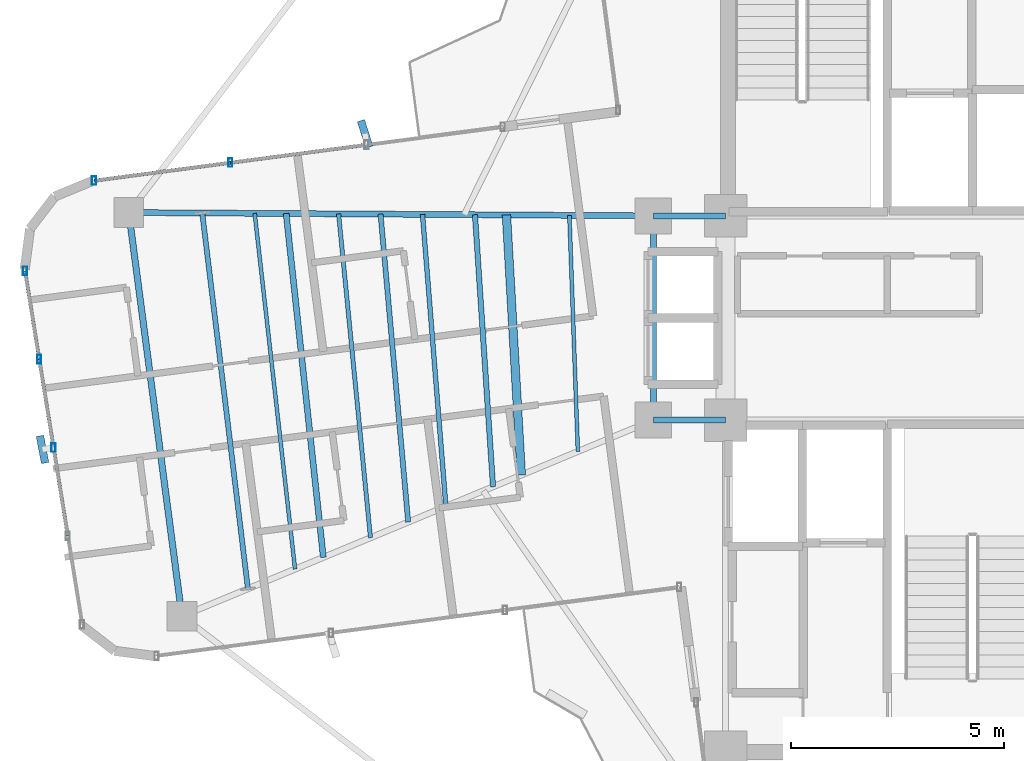
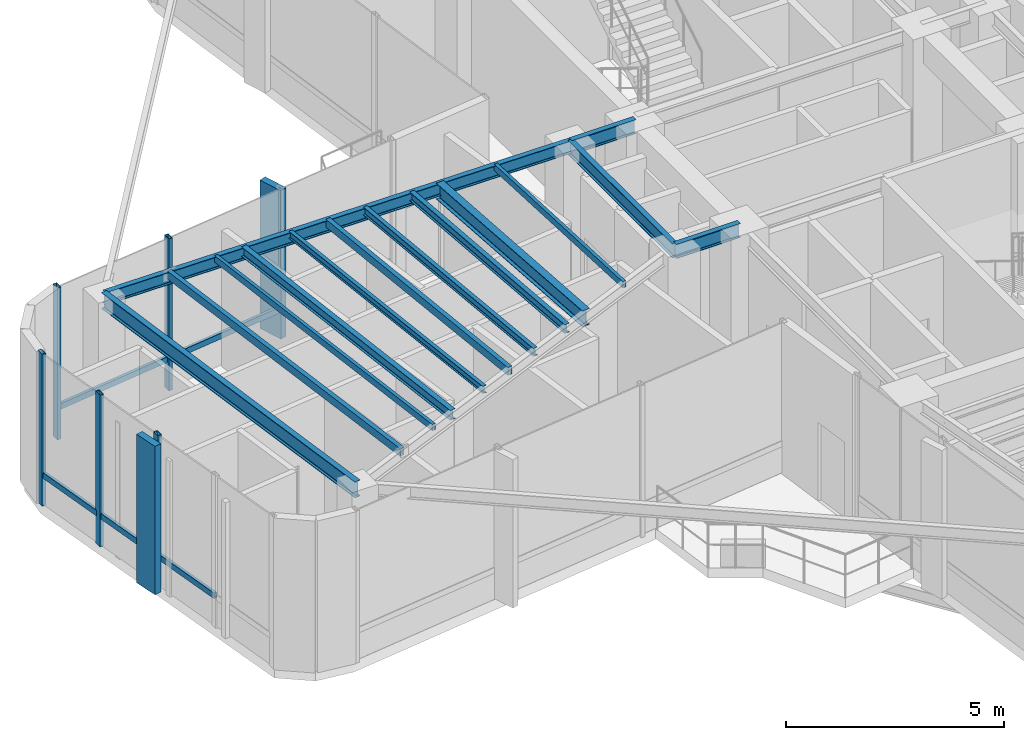
# One storey, part 4 of 20: 14 beams, 12 members, 2 elements without a shape of their own.
"""IFC4 building model written with IfcOpenShell, lengths in metres."""

from ifc_helpers import new_model, si_unit, direction, frame, origin, origin_2d, place, context, subcontext, project, spatial, rectangle, hollow_rectangle, i_section, extrude, source, transform, mapped, material, material_profile, profile_set, type_object, element, aggregate, save


model = new_model("IFC4")

# Units and contexts
model_context = context("Model", 3, precision=1e-05, world=origin(), true_north=direction((0.0, 1.0)))
body_context = subcontext(model_context, "Body", "Model", "MODEL_VIEW")
ifc_project = project(units=[si_unit("LENGTHUNIT", "METRE"), si_unit("AREAUNIT", "SQUARE_METRE"), si_unit("VOLUMEUNIT", "CUBIC_METRE"), si_unit("PLANEANGLEUNIT", "RADIAN"), si_unit("MASSUNIT", "GRAM", prefix="KILO")], contexts=[model_context])

# Site, building, storey
site_placement = place(None, origin())
site = spatial("IfcSite", under=ifc_project, at=site_placement, CompositionType="ELEMENT")
building_placement = place(site_placement, origin())
building = spatial("IfcBuilding", under=site, at=building_placement, Name="Sahyath Konkavel Grand Hotel", CompositionType="ELEMENT")
storey_placement = place(building_placement, frame((0.0, 0.0, 229.949951171875)))
storey = spatial("IfcBuildingStorey", under=building, at=storey_placement, Name="L64", CompositionType="ELEMENT", Elevation=229.949951171875)

# Beams
ifc_material_1 = material(Name="Steel E350", Category="steel")
ifc_material_profile_1 = material_profile(ifc_material_1, i_section(OverallWidth=0.139892578125, OverallDepth=0.39990234375, WebThickness=0.0087890625, FlangeThickness=0.01611328125, FilletRadius=0.013916015625, at=origin_2d()), Name="ISMB 400")
ifc_profile_set_1 = profile_set([ifc_material_profile_1], Name="Steel E350")
beam_type_1 = type_object("IfcBeamType", Name="BM-ISMB400", PredefinedType="BEAM", material=ifc_profile_set_1)
shared_shape_1 = source(origin(), body_context, "Body", "SweptSolid", [
    extrude(i_section(OverallWidth=0.139892578125, OverallDepth=0.39990234375, WebThickness=0.0087890625, FlangeThickness=0.01611328125, FilletRadius=0.013916015625, at=origin_2d()), origin(), (0.0, 0.0, 1.0), 1.699951171875),
])
for number, where, z_axis, x_axis, name in (
    (1, (-5.5, 2.39990234375, 4.06005859375), (1.0, 0.0, 0.0), (0.0, 1.0, 0.0), "str:bm:L64:HB-NW"),
    (2, (-5.5, -2.39990234375, 4.06005859375), (1.0, 0.0, 0.0), (0.0, 1.0, 0.0), "str:bm:L64:HB-SW"),
):
    element("IfcBeam", number, at=place(storey_placement, frame(where, z_axis=z_axis, x_axis=x_axis)), inside=storey, type_object=beam_type_1, Name=name, PredefinedType="BEAM", context=body_context, shape_type="MappedRepresentation", body=[
        mapped(shared_shape_1, transform((0.0, 0.0, 0.0), scale=1.0)),
    ])
shared_shape_2 = source(origin(), body_context, "Body", "SweptSolid", [
    extrude(i_section(OverallWidth=0.139892578125, OverallDepth=0.39990234375, WebThickness=0.0087890625, FlangeThickness=0.01611328125, FilletRadius=0.013916015625, at=origin_2d()), origin(), (0.0, 0.0, 1.0), 4.7998046875),
])
beam_1_placement = place(storey_placement, frame((-5.5, -2.39990234375, 4.06005859375), z_axis=(0.0, 1.0, 0.0), x_axis=(-1.0, 0.0, 0.0)))
element("IfcBeam", 3, at=beam_1_placement, inside=storey, type_object=beam_type_1, Name="str:bm:L64:HB-W", PredefinedType="BEAM", context=body_context, shape_type="MappedRepresentation", body=[
    mapped(shared_shape_2, transform((0.0, 0.0, 0.0), scale=1.0)),
])
ifc_material_profile_2 = material_profile(ifc_material_1, i_section(OverallWidth=0.139892578125, OverallDepth=0.35009765625, WebThickness=0.008056640625, FlangeThickness=0.01416015625, FilletRadius=0.013916015625, at=origin_2d()), Name="ISMB 350")
ifc_profile_set_2 = profile_set([ifc_material_profile_2], Name="Steel E350")
beam_type_2 = type_object("IfcBeamType", Name="BM-ISMB350", PredefinedType="BEAM", material=ifc_profile_set_2)
shared_shape_3 = source(origin(), body_context, "Body", "SweptSolid", [
    extrude(i_section(OverallWidth=0.139892578125, OverallDepth=0.35009765625, WebThickness=0.008056640625, FlangeThickness=0.01416015625, FilletRadius=0.013916015625, at=origin_2d()), origin(), (0.0, 0.0, 1.0), 12.3232421875),
])
beam_2_placement = place(storey_placement, frame((-5.5, 2.39990234375, 4.0849609375), z_axis=(-0.999980029649, 0.006319834165, 0.0), x_axis=(-0.006319834165, -0.999980029649, 0.0)))
element("IfcBeam", 4, at=beam_2_placement, inside=storey, type_object=beam_type_2, Name="L64 Cruciform Radial Girder WA", PredefinedType="BEAM", context=body_context, shape_type="MappedRepresentation", body=[
    mapped(shared_shape_3, transform((0.0, 0.0, 0.0), scale=1.0)),
])
ifc_material_profile_3 = material_profile(ifc_material_1, i_section(OverallWidth=0.14990234375, OverallDepth=0.449951171875, WebThickness=0.009521484375, FlangeThickness=0.017333984375, FilletRadius=0.014892578125, at=origin_2d()), Name="ISMB 450")
ifc_profile_set_3 = profile_set([ifc_material_profile_3], Name="Steel E350")
beam_type_3 = type_object("IfcBeamType", Name="BM-ISMB450", PredefinedType="BEAM", material=ifc_profile_set_3)
shared_shape_4 = source(origin(), body_context, "Body", "SweptSolid", [
    extrude(i_section(OverallWidth=0.14990234375, OverallDepth=0.449951171875, WebThickness=0.009521484375, FlangeThickness=0.017333984375, FilletRadius=0.014892578125, at=origin_2d()), origin(), (0.0, 0.0, 1.0), 9.56591796875),
])
beam_3_placement = place(storey_placement, frame((-17.822998046875, 2.477783203125, 4.03515625), z_axis=(0.130543638296, -0.991442564398, 0.0), x_axis=(0.991442564398, 0.130543638296, 0.0)))
element("IfcBeam", 5, at=beam_3_placement, inside=storey, type_object=beam_type_3, Name="L64 Wing Tip Edge Beam W", PredefinedType="BEAM", context=body_context, shape_type="MappedRepresentation", body=[
    mapped(shared_shape_4, transform((0.0, 0.0, 0.0), scale=1.0)),
])
ifc_material_profile_4 = material_profile(ifc_material_1, i_section(OverallWidth=0.199951171875, OverallDepth=0.449951171875, WebThickness=0.00927734375, FlangeThickness=0.015380859375, FilletRadius=0.01611328125, at=origin_2d()), Name="ISWB 450")
ifc_profile_set_4 = profile_set([ifc_material_profile_4], Name="Steel E350")
beam_type_4 = type_object("IfcBeamType", Name="BM-ISWB450", PredefinedType="BEAM", material=ifc_profile_set_4)
shared_shape_5 = source(origin(), body_context, "Body", "SweptSolid", [
    extrude(i_section(OverallWidth=0.199951171875, OverallDepth=0.449951171875, WebThickness=0.00927734375, FlangeThickness=0.015380859375, FilletRadius=0.01611328125, at=origin_2d()), origin(), (0.0, 0.0, 1.0), 6.12158203125),
])
beam_4_placement = place(storey_placement, frame((-8.950439453125, 2.421875, 4.03515625), z_axis=(0.057111122498, -0.998367827851, 0.0), x_axis=(0.998367827851, 0.057111122498, 0.0)))
element("IfcBeam", 6, at=beam_4_placement, inside=storey, type_object=beam_type_4, Name="L64 Secondary Floor Beam W-1", PredefinedType="BEAM", context=body_context, shape_type="MappedRepresentation", body=[
    mapped(shared_shape_5, transform((0.0, 0.0, 0.0), scale=1.0)),
])
ifc_material_profile_5 = material_profile(ifc_material_1, hollow_rectangle(XDim=0.1201171875, YDim=0.219970703125, WallThickness=0.010009765625, at=origin_2d()), Name="RHS 220x120x10")
ifc_profile_set_5 = profile_set([ifc_material_profile_5], Name="Steel E350")
beam_type_5 = type_object("IfcBeamType", Name="BM-RHS220", PredefinedType="BEAM", material=ifc_profile_set_5)
shared_shape_6 = source(origin(), body_context, "Body", "SweptSolid", [
    extrude(hollow_rectangle(XDim=0.1201171875, YDim=0.219970703125, WallThickness=0.010009765625, at=origin_2d()), origin(), (0.0, 0.0, 1.0), 7.264892578125),
])
beam_5_placement = place(storey_placement, frame((-11.907958984375, 2.4404296875, 4.150146484375), z_axis=(0.08939034823, -0.995996669494, 0.0), x_axis=(0.995996669494, 0.08939034823, 0.0)))
element("IfcBeam", 7, at=beam_5_placement, inside=storey, type_object=beam_type_5, Name="L64 Secondary Floor Beam W-2", PredefinedType="BEAM", context=body_context, shape_type="MappedRepresentation", body=[
    mapped(shared_shape_6, transform((0.0, 0.0, 0.0), scale=1.0)),
])
ifc_material_profile_6 = material_profile(ifc_material_1, hollow_rectangle(XDim=0.090087890625, YDim=0.179931640625, WallThickness=0.008056640625, at=origin_2d()), Name="RHS 180x90x8")
ifc_profile_set_6 = profile_set([ifc_material_profile_6], Name="Steel E350")
beam_type_6 = type_object("IfcBeamType", Name="BM-RHS180", PredefinedType="BEAM", material=ifc_profile_set_6)
shared_shape_7 = source(origin(), body_context, "Body", "SweptSolid", [
    extrude(hollow_rectangle(XDim=0.090087890625, YDim=0.179931640625, WallThickness=0.008056640625, at=origin_2d()), origin(), (0.0, 0.0, 1.0), 8.41357421875),
])
beam_6_placement = place(storey_placement, frame((-14.865478515625, 2.458984375, 4.170166015625), z_axis=(0.112791190308, -0.993618713284, 0.0), x_axis=(0.993618713284, 0.112791190308, 0.0)))
element("IfcBeam", 8, at=beam_6_placement, inside=storey, type_object=beam_type_6, Name="L64 Secondary Floor Beam W-3", PredefinedType="BEAM", context=body_context, shape_type="MappedRepresentation", body=[
    mapped(shared_shape_7, transform((0.0, 0.0, 0.0), scale=1.0)),
])
ifc_material_profile_7 = material_profile(ifc_material_1, i_section(OverallWidth=0.139892578125, OverallDepth=0.27490234375, WebThickness=0.00634765625, FlangeThickness=0.0087890625, FilletRadius=0.012939453125, at=origin_2d()), Name="ISLB 275")
ifc_profile_set_7 = profile_set([ifc_material_profile_7], Name="Steel E350")
beam_type_7 = type_object("IfcBeamType", Name="BM-ISLB275", PredefinedType="BEAM", material=ifc_profile_set_7)
shared_shape_8 = source(origin(), body_context, "Body", "SweptSolid", [
    extrude(i_section(OverallWidth=0.139892578125, OverallDepth=0.27490234375, WebThickness=0.00634765625, FlangeThickness=0.0087890625, FilletRadius=0.012939453125, at=origin_2d()), origin(), (0.0, 0.0, 1.0), 8.126220703125),
])
beam_7_placement = place(storey_placement, frame((-14.1259765625, 2.45458984375, 4.12255859375), z_axis=(0.107555682416, -0.99419906215, 0.0), x_axis=(0.99419906215, 0.107555682416, 0.0)))
element("IfcBeam", 9, at=beam_7_placement, inside=storey, type_object=beam_type_7, Name="L64 Composite Deck Sub-Beam W-5", PredefinedType="BEAM", context=body_context, shape_type="MappedRepresentation", body=[
    mapped(shared_shape_8, transform((0.0, 0.0, 0.0), scale=1.0)),
])
shared_shape_9 = source(origin(), body_context, "Body", "SweptSolid", [
    extrude(hollow_rectangle(XDim=0.090087890625, YDim=0.179931640625, WallThickness=0.008056640625, at=origin_2d()), origin(), (0.0, 0.0, 1.0), 5.552978515625),
])
beam_8_placement = place(storey_placement, frame((-7.4716796875, 2.412353515625, 4.170166015625), z_axis=(0.035964400029, -0.999353071707, 0.0), x_axis=(0.999353071707, 0.035964400029, 0.0)))
element("IfcBeam", 10, at=beam_8_placement, inside=storey, type_object=beam_type_6, Name="L64 Composite Deck Sub-Beam W-1", PredefinedType="BEAM", context=body_context, shape_type="MappedRepresentation", body=[
    mapped(shared_shape_9, transform((0.0, 0.0, 0.0), scale=1.0)),
])
ifc_material_profile_8 = material_profile(ifc_material_1, i_section(OverallWidth=0.125, OverallDepth=0.25, WebThickness=0.0068359375, FlangeThickness=0.012451171875, FilletRadius=0.012939453125, at=origin_2d()), Name="ISMB 250")
ifc_profile_set_8 = profile_set([ifc_material_profile_8], Name="Steel E350")
beam_type_8 = type_object("IfcBeamType", Name="BM-ISMB250", PredefinedType="BEAM", material=ifc_profile_set_8)
shared_shape_10 = source(origin(), body_context, "Body", "SweptSolid", [
    extrude(i_section(OverallWidth=0.125, OverallDepth=0.25, WebThickness=0.0068359375, FlangeThickness=0.012451171875, FilletRadius=0.012939453125, at=origin_2d()), origin(), (0.0, 0.0, 1.0), 6.40673828125),
])
beam_9_placement = place(storey_placement, frame((-9.689697265625, 2.426513671875, 4.135009765625), z_axis=(0.066230672943, -0.997804338516, 0.0), x_axis=(0.997804338516, 0.066230672943, 0.0)))
element("IfcBeam", 11, at=beam_9_placement, inside=storey, type_object=beam_type_8, Name="L64 Composite Deck Sub-Beam W-2", PredefinedType="BEAM", context=body_context, shape_type="MappedRepresentation", body=[
    mapped(shared_shape_10, transform((0.0, 0.0, 0.0), scale=1.0)),
])
ifc_material_profile_9 = material_profile(ifc_material_1, i_section(OverallWidth=0.110107421875, OverallDepth=0.22509765625, WebThickness=0.006591796875, FlangeThickness=0.01171875, FilletRadius=0.011962890625, at=origin_2d()), Name="ISMB 225")
ifc_profile_set_9 = profile_set([ifc_material_profile_9], Name="Steel E350")
beam_type_9 = type_object("IfcBeamType", Name="BM-ISMB225", PredefinedType="BEAM", material=ifc_profile_set_9)
shared_shape_11 = source(origin(), body_context, "Body", "SweptSolid", [
    extrude(i_section(OverallWidth=0.110107421875, OverallDepth=0.22509765625, WebThickness=0.006591796875, FlangeThickness=0.01171875, FilletRadius=0.011962890625, at=origin_2d()), origin(), (0.0, 0.0, 1.0), 6.8828125),
])
beam_10_placement = place(storey_placement, frame((-10.922119140625, 2.43408203125, 4.1474609375), z_axis=(0.079810073967, -0.996810088278, 0.0), x_axis=(0.996810088278, 0.079810073967, 0.0)))
element("IfcBeam", 12, at=beam_10_placement, inside=storey, type_object=beam_type_9, Name="L64 Composite Deck Sub-Beam W-3", PredefinedType="BEAM", context=body_context, shape_type="MappedRepresentation", body=[
    mapped(shared_shape_11, transform((0.0, 0.0, 0.0), scale=1.0)),
])
ifc_material_profile_10 = material_profile(ifc_material_1, i_section(OverallWidth=0.10009765625, OverallDepth=0.199951171875, WebThickness=0.005615234375, FlangeThickness=0.0107421875, FilletRadius=0.010986328125, at=origin_2d()), Name="ISMB 200")
ifc_profile_set_10 = profile_set([ifc_material_profile_10], Name="Steel E350")
beam_type_10 = type_object("IfcBeamType", Name="BM-ISMB200", PredefinedType="BEAM", material=ifc_profile_set_10)
shared_shape_12 = source(origin(), body_context, "Body", "SweptSolid", [
    extrude(i_section(OverallWidth=0.10009765625, OverallDepth=0.199951171875, WebThickness=0.005615234375, FlangeThickness=0.0107421875, FilletRadius=0.010986328125, at=origin_2d()), origin(), (0.0, 0.0, 1.0), 7.6474609375),
])
beam_11_placement = place(storey_placement, frame((-12.893798828125, 2.44677734375, 4.16015625), z_axis=(0.097976905826, -0.995188688604, 0.0), x_axis=(0.995188688604, 0.097976905826, 0.0)))
element("IfcBeam", 13, at=beam_11_placement, inside=storey, type_object=beam_type_10, Name="L64 Composite Deck Sub-Beam W-4", PredefinedType="BEAM", context=body_context, shape_type="MappedRepresentation", body=[
    mapped(shared_shape_12, transform((0.0, 0.0, 0.0), scale=1.0)),
])
shared_shape_13 = source(origin(), body_context, "Body", "SweptSolid", [
    extrude(hollow_rectangle(XDim=0.1201171875, YDim=0.219970703125, WallThickness=0.010009765625, at=origin_2d()), origin(), (0.0, 0.0, 1.0), 8.89306640625),
])
beam_12_placement = place(storey_placement, frame((-16.09765625, 2.466796875, 4.150146484375), z_axis=(0.120736363524, -0.99268460778, 0.0), x_axis=(0.99268460778, 0.120736363524, 0.0)))
element("IfcBeam", 14, at=beam_12_placement, inside=storey, type_object=beam_type_5, Name="L64 Composite Deck Sub-Beam W-6", PredefinedType="BEAM", context=body_context, shape_type="MappedRepresentation", body=[
    mapped(shared_shape_13, transform((0.0, 0.0, 0.0), scale=1.0)),
])

# Curtain wall, members
ifc_material_2 = material(Name="Anodised Bronze Aluminium & Low-E Glazing", Category="aluminium")
curtain_wall_type = type_object("IfcCurtainWallType", Name="CW-SKYLOBBY", PredefinedType="NOTDEFINED", material=ifc_material_2)
curtain_wall_1_placement = place(storey_placement, origin())
curtain_wall_1 = element("IfcCurtainWall", 15, at=curtain_wall_1_placement, inside=storey, type_object=curtain_wall_type, Name="L64 Unitised Curtain Wall F16", PredefinedType="NOTDEFINED")
ifc_material_3 = material(Name="Anodised Bronze Aluminium", Category="aluminium")
ifc_material_profile_11 = material_profile(ifc_material_3, hollow_rectangle(XDim=0.10009765625, YDim=0.199951171875, WallThickness=0.008056640625, at=origin_2d()), Name="RHS 200x100x8")
ifc_profile_set_11 = profile_set([ifc_material_profile_11], Name="Anodised Bronze Aluminium")
member_type_1 = type_object("IfcMemberType", Name="CW-MUL-200", PredefinedType="MULLION", material=ifc_profile_set_11)
shared_shape_14 = source(origin(), body_context, "Body", "SweptSolid", [
    extrude(hollow_rectangle(XDim=0.10009765625, YDim=0.199951171875, WallThickness=0.008056640625, at=origin_2d()), origin(), (0.0, 0.0, 1.0), 4.260009765625),
])
member_1_placement = place(storey_placement, frame((-15.4375, 3.6494140625, 0.0), z_axis=(0.0, 0.0, 1.0), x_axis=(1.0, 0.0, 0.0)))
member_1 = element("IfcMember", 16, at=member_1_placement, type_object=member_type_1, Name="L64 Curtain Wall Mullion F16-2", PredefinedType="MULLION", context=body_context, shape_type="MappedRepresentation", body=[
    mapped(shared_shape_14, transform((0.0, 0.0, 0.0), scale=1.0)),
])
member_2_placement = place(storey_placement, frame((-18.6376953125, 3.227783203125, 0.0), z_axis=(0.0, 0.0, 1.0), x_axis=(1.0, 0.0, 0.0)))
member_2 = element("IfcMember", 17, at=member_2_placement, type_object=member_type_1, Name="L64 Curtain Wall Mullion F16-3", PredefinedType="MULLION", context=body_context, shape_type="MappedRepresentation", body=[
    mapped(shared_shape_14, transform((0.0, 0.0, 0.0), scale=1.0)),
])

curtain_wall_2_placement = place(storey_placement, origin())
curtain_wall_2 = element("IfcCurtainWall", 18, at=curtain_wall_2_placement, inside=storey, type_object=curtain_wall_type, Name="L64 Unitised Curtain Wall F20", PredefinedType="NOTDEFINED")
member_3_placement = place(storey_placement, frame((-20.263671875, 1.107421875, 0.0), z_axis=(0.0, 0.0, 1.0), x_axis=(1.0, 0.0, 0.0)))
member_3 = element("IfcMember", 19, at=member_3_placement, type_object=member_type_1, Name="L64 Curtain Wall Mullion F20-0", PredefinedType="MULLION", context=body_context, shape_type="MappedRepresentation", body=[
    mapped(shared_shape_14, transform((0.0, 0.0, 0.0), scale=1.0)),
])
member_4_placement = place(storey_placement, frame((-19.928466796875, -0.96923828125, 0.0), z_axis=(0.0, 0.0, 1.0), x_axis=(1.0, 0.0, 0.0)))
member_4 = element("IfcMember", 20, at=member_4_placement, type_object=member_type_1, Name="L64 Curtain Wall Mullion F20-1", PredefinedType="MULLION", context=body_context, shape_type="MappedRepresentation", body=[
    mapped(shared_shape_14, transform((0.0, 0.0, 0.0), scale=1.0)),
])
member_5_placement = place(storey_placement, frame((-19.593017578125, -3.0458984375, 0.0), z_axis=(0.0, 0.0, 1.0), x_axis=(1.0, 0.0, 0.0)))
member_5 = element("IfcMember", 21, at=member_5_placement, type_object=member_type_1, Name="L64 Curtain Wall Mullion F20-2", PredefinedType="MULLION", context=body_context, shape_type="MappedRepresentation", body=[
    mapped(shared_shape_14, transform((0.0, 0.0, 0.0), scale=1.0)),
])

# Member
ifc_material_4 = material(Name="Warm Buff Sandstone Cladding on Concrete C50/60", Category="masonry")
ifc_material_profile_12 = material_profile(ifc_material_4, rectangle(XDim=0.179931640625, YDim=0.64990234375, at=origin_2d()), Name="FIN 180x650")
ifc_profile_set_12 = profile_set([ifc_material_profile_12], Name="Warm Buff Sandstone Cladding on Concrete C50/60")
member_type_2 = type_object("IfcMemberType", Name="FIN-SANDSTONE-650", PredefinedType="MULLION", material=ifc_profile_set_12)
shared_shape_15 = source(origin(), body_context, "Body", "SweptSolid", [
    extrude(rectangle(XDim=0.179931640625, YDim=0.64990234375, at=origin_2d()), origin(), (0.0, 0.0, 1.0), 4.159912109375),
])
member_6_placement = place(storey_placement, frame((-12.27099609375, 4.328369140625, 0.050048828125), z_axis=(0.0, 0.0, 1.0), x_axis=(0.952022626946, 0.306027642189, 0.0)))
member_6 = element("IfcMember", 22, at=member_6_placement, type_object=member_type_2, Name="L64 Sandstone Vertical Solar Fin FIN F16-1", PredefinedType="MULLION", context=body_context, shape_type="MappedRepresentation", body=[
    mapped(shared_shape_15, transform((0.0, 0.0, 0.0), scale=1.0)),
])

member_7_placement = place(storey_placement, frame((-19.849853515625, -3.08740234375, 0.050048828125), z_axis=(0.0, 0.0, 1.0), x_axis=(0.982254531559, 0.187552753198, 0.0)))
member_7 = element("IfcMember", 23, at=member_7_placement, type_object=member_type_2, Name="L64 Sandstone Vertical Solar Fin FIN F20-2", PredefinedType="MULLION", context=body_context, shape_type="MappedRepresentation", body=[
    mapped(shared_shape_15, transform((0.0, 0.0, 0.0), scale=1.0)),
])

ifc_material_profile_13 = material_profile(ifc_material_3, hollow_rectangle(XDim=0.080078125, YDim=0.159912109375, WallThickness=0.006103515625, at=origin_2d()), Name="RHS 160x80x6")
ifc_profile_set_13 = profile_set([ifc_material_profile_13], Name="Anodised Bronze Aluminium")
member_type_3 = type_object("IfcMemberType", Name="CW-TRN-160", PredefinedType="USERDEFINED", material=ifc_profile_set_13)
shared_shape_16 = source(origin(), body_context, "Body", "SweptSolid", [
    extrude(hollow_rectangle(XDim=0.080078125, YDim=0.159912109375, WallThickness=0.006103515625, at=origin_2d()), origin(), (0.0, 0.0, 1.0), 3.22802734375),
])
member_8_placement = place(storey_placement, frame((-12.237060546875, 4.070556640625, 0.85009765625), z_axis=(-0.991453008369, -0.130464294716, 0.0), x_axis=(0.130464294716, -0.991453008369, 0.0)))
member_8 = element("IfcMember", 24, at=member_8_placement, type_object=member_type_3, Name="L64 Curtain Wall Transom F16-1-spandrel", ObjectType="TRANSOM", PredefinedType="USERDEFINED", context=body_context, shape_type="MappedRepresentation", body=[
    mapped(shared_shape_16, transform((0.0, 0.0, 0.0), scale=1.0)),
])

shared_shape_17 = source(origin(), body_context, "Body", "SweptSolid", [
    extrude(hollow_rectangle(XDim=0.080078125, YDim=0.159912109375, WallThickness=0.006103515625, at=origin_2d()), origin(), (0.0, 0.0, 1.0), 3.227783203125),
])
member_9_placement = place(storey_placement, frame((-15.4375, 3.6494140625, 0.85009765625), z_axis=(-0.991432141488, -0.13062277299, 0.0), x_axis=(0.13062277299, -0.991432141488, 0.0)))
member_9 = element("IfcMember", 25, at=member_9_placement, type_object=member_type_3, Name="L64 Curtain Wall Transom F16-2-spandrel", ObjectType="TRANSOM", PredefinedType="USERDEFINED", context=body_context, shape_type="MappedRepresentation", body=[
    mapped(shared_shape_17, transform((0.0, 0.0, 0.0), scale=1.0)),
])

aggregate(curtain_wall_1, [member_6, member_1, member_2, member_8, member_9])

shared_shape_18 = source(origin(), body_context, "Body", "SweptSolid", [
    extrude(hollow_rectangle(XDim=0.080078125, YDim=0.159912109375, WallThickness=0.006103515625, at=origin_2d()), origin(), (0.0, 0.0, 1.0), 2.103515625),
])
member_10_placement = place(storey_placement, frame((-20.263671875, 1.107421875, 0.85009765625), z_axis=(0.159352854703, -0.987221691262, 0.0), x_axis=(0.987221691262, 0.159352854703, 0.0)))
member_10 = element("IfcMember", 26, at=member_10_placement, type_object=member_type_3, Name="L64 Curtain Wall Transom F20-0-spandrel", ObjectType="TRANSOM", PredefinedType="USERDEFINED", context=body_context, shape_type="MappedRepresentation", body=[
    mapped(shared_shape_18, transform((0.0, 0.0, 0.0), scale=1.0)),
])

member_11_placement = place(storey_placement, frame((-19.928466796875, -0.96923828125, 0.85009765625), z_axis=(0.159465966171, -0.987203426672, 0.0), x_axis=(0.987203426672, 0.159465966171, 0.0)))
member_11 = element("IfcMember", 27, at=member_11_placement, type_object=member_type_3, Name="L64 Curtain Wall Transom F20-1-spandrel", ObjectType="TRANSOM", PredefinedType="USERDEFINED", context=body_context, shape_type="MappedRepresentation", body=[
    mapped(shared_shape_18, transform((0.0, 0.0, 0.0), scale=1.0)),
])

shared_shape_19 = source(origin(), body_context, "Body", "SweptSolid", [
    extrude(hollow_rectangle(XDim=0.080078125, YDim=0.159912109375, WallThickness=0.006103515625, at=origin_2d()), origin(), (0.0, 0.0, 1.0), 2.103759765625),
])
member_12_placement = place(storey_placement, frame((-19.593017578125, -3.0458984375, 0.85009765625), z_axis=(0.15933459832, -0.987224637951, 0.0), x_axis=(0.987224637951, 0.15933459832, 0.0)))
member_12 = element("IfcMember", 28, at=member_12_placement, type_object=member_type_3, Name="L64 Curtain Wall Transom F20-2-spandrel", ObjectType="TRANSOM", PredefinedType="USERDEFINED", context=body_context, shape_type="MappedRepresentation", body=[
    mapped(shared_shape_19, transform((0.0, 0.0, 0.0), scale=1.0)),
])

aggregate(curtain_wall_2, [member_3, member_4, member_5, member_7, member_10, member_11, member_12])

save(model, "model.ifc")
